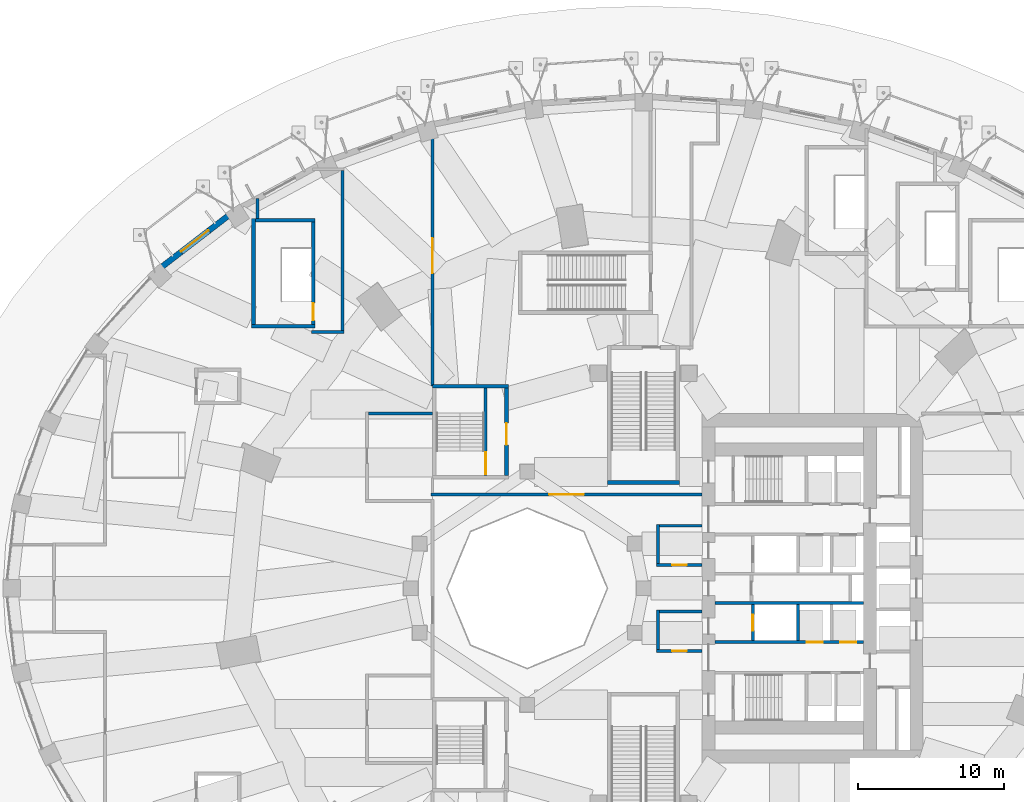
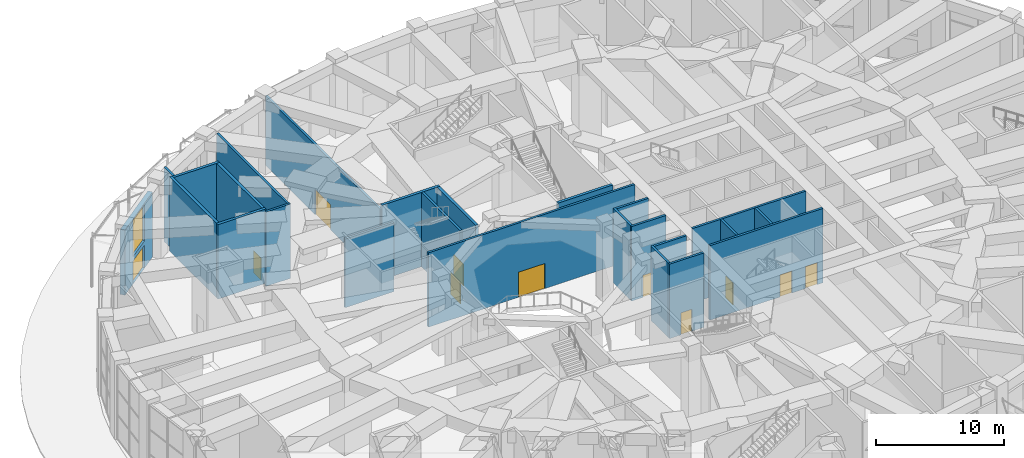
# One storey, part 36 of 60: 25 walls, 11 doors, 1 window, 12 openings.
"""IFC4 building model written with IfcOpenShell, lengths in metres."""

from ifc_helpers import new_model, si_unit, direction, frame, frame_2d, origin, place, context, subcontext, project, spatial, rectangle, extrude, material, layer, layer_set, type_object, element, fill, save


model = new_model("IFC4")

# Units and contexts
model_context = context("Model", 3, precision=1e-05, world=origin(), true_north=direction((0.0, 1.0)))
body_context = subcontext(model_context, "Body", "Model", "MODEL_VIEW")
ifc_project = project(units=[si_unit("LENGTHUNIT", "METRE"), si_unit("AREAUNIT", "SQUARE_METRE"), si_unit("VOLUMEUNIT", "CUBIC_METRE"), si_unit("PLANEANGLEUNIT", "RADIAN"), si_unit("MASSUNIT", "GRAM", prefix="KILO")], contexts=[model_context])

# Site, building, storey
site_placement = place(None, origin())
site = spatial("IfcSite", under=ifc_project, at=site_placement, CompositionType="ELEMENT")
building_placement = place(site_placement, origin())
building = spatial("IfcBuilding", under=site, at=building_placement, Name="Taillehof Tower", CompositionType="ELEMENT")
storey_placement = place(building_placement, origin())
storey = spatial("IfcBuildingStorey", under=building, at=storey_placement, Name="L00", CompositionType="ELEMENT", Elevation=0.0)

# Wall, openings, door, window
ifc_material_1 = material(Name="Brick masonry", Category="masonry")
ifc_layer_1 = layer(ifc_material_1, 0.39990234375)
ifc_layer_set_1 = layer_set([ifc_layer_1], Name="Brick facade wall 400")
wall_type_1 = type_object("IfcWallType", Name="Brick facade wall 400", PredefinedType="SOLIDWALL", material=ifc_layer_set_1)
wall_1_placement = place(storey_placement, frame((-28.5673828125, 25.572021484375, 0.0), z_axis=(0.0, 0.0, 1.0), x_axis=(-0.79246558555, -0.609916630138, 0.0)))
wall_1 = element("IfcWall", 1, at=wall_1_placement, inside=storey, type_object=wall_type_1, Name="Brick wall L00 bay 14", PredefinedType="SOLIDWALL", context=body_context, shape_type="SweptSolid", body=[
    extrude(rectangle(XDim=5.67333984375, YDim=0.39990234375, at=frame_2d((2.836669921875, 0.0))), origin(), (0.0, 0.0, 1.0), 6.18994140625),
])
opening_1_placement = place(wall_1_placement, frame((1.63671875, 0.0, 0.0)))
opening_1 = element("IfcOpeningElement", 2, at=opening_1_placement, cuts=wall_1, Name="Opening E2", PredefinedType="OPENING", context=body_context, shape_type="SweptSolid", body=[
    extrude(rectangle(XDim=2.39990234375, YDim=2.199951171875, at=frame_2d((1.199951171875, 1.10009765625))), frame((0.0, 0.2099609375, 0.0), z_axis=(0.0, -1.0, 0.0), x_axis=(1.0, 0.0, 0.0)), (0.0, 0.0, 1.0), 0.419921875),
])
opening_2_placement = place(wall_1_placement, frame((1.63671875, 0.0, 2.60009765625)))
opening_2 = element("IfcOpeningElement", 3, at=opening_2_placement, cuts=wall_1, Name="Opening FL1", PredefinedType="OPENING", context=body_context, shape_type="SweptSolid", body=[
    extrude(rectangle(XDim=2.39990234375, YDim=3.489990234375, at=frame_2d((1.199951171875, 1.7451171875))), frame((0.0, 0.2099609375, 0.0), z_axis=(0.0, -1.0, 0.0), x_axis=(1.0, 0.0, 0.0)), (0.0, 0.0, 1.0), 0.419921875),
])
ifc_material_2 = material(Name="Aluminium door frame with clear laminated safety glass", Category="aluminium")
door_type_1 = type_object("IfcDoorType", Name="Exit door 2400x2200", OperationType="DOUBLE_DOOR_DOUBLE_SWING", PredefinedType="DOOR", material=ifc_material_2)
door_1_placement = place(opening_1_placement, frame((2.39990234375, 0.0, 0.0), z_axis=(0.0, 0.0, 1.0), x_axis=(-1.0, 0.0, 0.0)))
door_1 = element("IfcDoor", 4, at=door_1_placement, inside=storey, type_object=door_type_1, Name="Door E2", OperationType="DOUBLE_DOOR_SINGLE_SWING", OverallHeight=2.199951171875, OverallWidth=2.39990234375, PredefinedType="DOOR", context=body_context, shape_type="SweptSolid", body=[
    extrude(rectangle(XDim=2.39990234375, YDim=2.199951171875, at=frame_2d((1.199951171875, 1.10009765625))), frame((0.0, 0.0498046875, 0.0), z_axis=(0.0, -1.0, 0.0), x_axis=(1.0, 0.0, 0.0)), (0.0, 0.0, 1.0), 0.050048828125),
])
fill(opening_1, door_1)
ifc_material_3 = material(Name="Aluminium window frame with clear laminated safety glass", Category="aluminium")
window_type = type_object("IfcWindowType", Name="Fixed fanlight 2400x3490", PartitioningType="SINGLE_PANEL", PredefinedType="WINDOW", material=ifc_material_3)
window_placement = place(opening_2_placement, origin())
window = element("IfcWindow", 5, at=window_placement, inside=storey, type_object=window_type, Name="Fanlight over E2", OverallHeight=3.489990234375, OverallWidth=2.39990234375, PartitioningType="SINGLE_PANEL", PredefinedType="WINDOW", context=body_context, shape_type="SweptSolid", body=[
    extrude(rectangle(XDim=2.39990234375, YDim=3.489990234375, at=frame_2d((1.199951171875, 1.7451171875))), frame((0.0, 0.010009765625, 0.0), z_axis=(0.0, -1.0, 0.0), x_axis=(1.0, 0.0, 0.0)), (0.0, 0.0, 1.0), 0.06005859375),
])
fill(opening_2, window)

# Wall, opening, door
ifc_material_4 = material(Name="Calcium silicate blockwork", Category="masonry")
ifc_layer_2 = layer(ifc_material_4, 0.199951171875)
ifc_layer_set_2 = layer_set([ifc_layer_2], Name="Compartment wall EI 60 200 mm")
wall_type_2 = type_object("IfcWallType", Name="Compartment wall EI 60 200 mm", PredefinedType="PARTITIONING", material=ifc_layer_set_2)
wall_2_placement = place(storey_placement, frame((0.89990234375, -4.300048828125, 0.0), z_axis=(0.0, 0.0, 1.0), x_axis=(1.0, 0.0, 0.0)))
wall_2 = element("IfcWall", 6, at=wall_2_placement, inside=storey, type_object=wall_type_2, Name="Wall L00-22 / L00-36", PredefinedType="PARTITIONING", context=body_context, shape_type="SweptSolid", body=[
    extrude(rectangle(XDim=3.10205078125, YDim=0.199951171875, at=frame_2d((1.551025390625, 0.0))), origin(), (0.0, 0.0, 1.0), 7.090087890625),
])
opening_3_placement = place(wall_2_placement, frame((1.051025390625, 0.0, 0.0)))
opening_3 = element("IfcOpeningElement", 7, at=opening_3_placement, cuts=wall_2, Name="Opening D0057", PredefinedType="OPENING", context=body_context, shape_type="SweptSolid", body=[
    extrude(rectangle(XDim=1.0, YDim=2.10009765625, at=frame_2d((0.5, 1.050048828125))), frame((0.0, 0.10986328125, 0.0), z_axis=(0.0, -1.0, 0.0), x_axis=(1.0, 0.0, 0.0)), (0.0, 0.0, 1.0), 0.219970703125),
])
ifc_material_5 = material(Name="Hollow metal door set")
door_type_2 = type_object("IfcDoorType", Name="Single door 1000 x 2100 FD60S", OperationType="SINGLE_SWING_LEFT", PredefinedType="DOOR", material=ifc_material_5)
door_2_placement = place(opening_3_placement, origin())
door_2 = element("IfcDoor", 8, at=door_2_placement, inside=storey, type_object=door_type_2, Name="Door D0057", OperationType="SINGLE_SWING_LEFT", OverallHeight=2.10009765625, OverallWidth=1.0, PredefinedType="DOOR", context=body_context, shape_type="SweptSolid", body=[
    extrude(rectangle(XDim=1.0, YDim=2.10009765625, at=frame_2d((0.5, 1.050048828125))), frame((0.0, 0.02490234375, 0.0), z_axis=(0.0, -1.0, 0.0), x_axis=(1.0, 0.0, 0.0)), (0.0, 0.0, 1.0), 0.050048828125),
])
fill(opening_3, door_2)

# Wall
wall_3_placement = place(storey_placement, frame((1.10009765625, -1.60009765625, 0.0), z_axis=(0.0, 0.0, 1.0), x_axis=(1.0, 0.0, 0.0)))
element("IfcWall", 9, at=wall_3_placement, inside=storey, type_object=wall_type_2, Name="Wall L00-22 / L00-36", PredefinedType="PARTITIONING", context=body_context, shape_type="SweptSolid", body=[
    extrude(rectangle(XDim=2.90185546875, YDim=0.199951171875, at=frame_2d((1.450927734375, 0.0))), origin(), (0.0, 0.0, 1.0), 7.090087890625),
])

# Wall, opening, door
wall_4_placement = place(storey_placement, frame((0.89990234375, 1.60009765625, 0.0), z_axis=(0.0, 0.0, 1.0), x_axis=(1.0, 0.0, 0.0)))
wall_4 = element("IfcWall", 10, at=wall_4_placement, inside=storey, type_object=wall_type_2, Name="Wall L00-23 / L00-36", PredefinedType="PARTITIONING", context=body_context, shape_type="SweptSolid", body=[
    extrude(rectangle(XDim=3.10205078125, YDim=0.199951171875, at=frame_2d((1.551025390625, 0.0))), origin(), (0.0, 0.0, 1.0), 7.090087890625),
])
opening_4_placement = place(wall_4_placement, frame((1.051025390625, 0.0, 0.0)))
opening_4 = element("IfcOpeningElement", 11, at=opening_4_placement, cuts=wall_4, Name="Opening D0062", PredefinedType="OPENING", context=body_context, shape_type="SweptSolid", body=[
    extrude(rectangle(XDim=1.0, YDim=2.10009765625, at=frame_2d((0.5, 1.050048828125))), frame((0.0, 0.10986328125, 0.0), z_axis=(0.0, -1.0, 0.0), x_axis=(1.0, 0.0, 0.0)), (0.0, 0.0, 1.0), 0.219970703125),
])
door_3_placement = place(opening_4_placement, origin())
door_3 = element("IfcDoor", 12, at=door_3_placement, inside=storey, type_object=door_type_2, Name="Door D0062", OperationType="SINGLE_SWING_LEFT", OverallHeight=2.10009765625, OverallWidth=1.0, PredefinedType="DOOR", context=body_context, shape_type="SweptSolid", body=[
    extrude(rectangle(XDim=1.0, YDim=2.10009765625, at=frame_2d((0.5, 1.050048828125))), frame((0.0, 0.02490234375, 0.0), z_axis=(0.0, -1.0, 0.0), x_axis=(1.0, 0.0, 0.0)), (0.0, 0.0, 1.0), 0.050048828125),
])
fill(opening_4, door_3)

# Wall
wall_5_placement = place(storey_placement, frame((1.10009765625, 4.300048828125, 0.0), z_axis=(0.0, 0.0, 1.0), x_axis=(1.0, 0.0, 0.0)))
element("IfcWall", 13, at=wall_5_placement, inside=storey, type_object=wall_type_2, Name="Wall L00-23 / L00-36", PredefinedType="PARTITIONING", context=body_context, shape_type="SweptSolid", body=[
    extrude(rectangle(XDim=2.90185546875, YDim=0.199951171875, at=frame_2d((1.450927734375, 0.0))), origin(), (0.0, 0.0, 1.0), 7.090087890625),
])

# Wall, opening, door
wall_6_placement = place(storey_placement, frame((-14.60009765625, 6.449951171875, 0.0), z_axis=(0.0, 0.0, 1.0), x_axis=(1.0, 0.0, 0.0)))
wall_6 = element("IfcWall", 14, at=wall_6_placement, inside=storey, type_object=wall_type_2, Name="Wall L00-36 / L00-37", PredefinedType="PARTITIONING", context=body_context, shape_type="SweptSolid", body=[
    extrude(rectangle(XDim=18.60205078125, YDim=0.199951171875, at=frame_2d((9.301025390625, 0.0))), origin(), (0.0, 0.0, 1.0), 7.090087890625),
])
opening_5_placement = place(wall_6_placement, frame((8.10107421875, 0.0, 0.0)))
opening_5 = element("IfcOpeningElement", 15, at=opening_5_placement, cuts=wall_6, Name="Opening D0063", PredefinedType="OPENING", context=body_context, shape_type="SweptSolid", body=[
    extrude(rectangle(XDim=2.39990234375, YDim=2.39990234375, at=frame_2d((1.199951171875, 1.199951171875))), frame((0.0, 0.10986328125, 0.0), z_axis=(0.0, -1.0, 0.0), x_axis=(1.0, 0.0, 0.0)), (0.0, 0.0, 1.0), 0.219970703125),
])
ifc_material_6 = material(Name="Glazed aluminium door set", Category="aluminium")
door_type_3 = type_object("IfcDoorType", Name="Glazed double door 2400 x 2400 FD60S", OperationType="DOUBLE_DOOR_SINGLE_SWING", PredefinedType="DOOR", material=ifc_material_6)
door_4_placement = place(opening_5_placement, origin())
door_4 = element("IfcDoor", 16, at=door_4_placement, inside=storey, type_object=door_type_3, Name="Door D0063", OperationType="DOUBLE_DOOR_SINGLE_SWING", OverallHeight=2.39990234375, OverallWidth=2.39990234375, PredefinedType="DOOR", context=body_context, shape_type="SweptSolid", body=[
    extrude(rectangle(XDim=2.39990234375, YDim=2.39990234375, at=frame_2d((1.199951171875, 1.199951171875))), frame((0.0, 0.02490234375, 0.0), z_axis=(0.0, -1.0, 0.0), x_axis=(1.0, 0.0, 0.0)), (0.0, 0.0, 1.0), 0.050048828125),
])
fill(opening_5, door_4)

# Walls
wall_7_placement = place(storey_placement, frame((-18.89990234375, 12.0, 0.0), z_axis=(0.0, 0.0, 1.0), x_axis=(1.0, 0.0, 0.0)))
element("IfcWall", 17, at=wall_7_placement, inside=storey, type_object=wall_type_2, Name="Wall L00-20 / L00-35", PredefinedType="PARTITIONING", context=body_context, shape_type="SweptSolid", body=[
    extrude(rectangle(XDim=4.40185546875, YDim=0.199951171875, at=frame_2d((2.200927734375, 0.0))), origin(), (0.0, 0.0, 1.0), 6.5400390625),
])
wall_8_placement = place(storey_placement, frame((-22.800048828125, 17.60009765625, 0.0), z_axis=(0.0, 0.0, 1.0), x_axis=(1.0, 0.0, 0.0)))
element("IfcWall", 18, at=wall_8_placement, inside=storey, type_object=wall_type_2, Name="Wall L00-35 / L00-38", PredefinedType="PARTITIONING", context=body_context, shape_type="SweptSolid", body=[
    extrude(rectangle(XDim=2.199951171875, YDim=0.199951171875, at=frame_2d((1.10009765625, 0.0))), origin(), (0.0, 0.0, 1.0), 7.090087890625),
])
wall_9_placement = place(storey_placement, frame((-26.539306640625, 25.4150390625, 0.0), z_axis=(0.0, 0.0, 1.0), x_axis=(0.0, 1.0, 0.0)))
element("IfcWall", 19, at=wall_9_placement, inside=storey, type_object=wall_type_2, Name="Wall L00-35 / L00-38", PredefinedType="PARTITIONING", context=body_context, shape_type="SweptSolid", body=[
    extrude(rectangle(XDim=1.380615234375, YDim=0.199951171875, at=frame_2d((0.6904296875, 0.0))), origin(), (0.0, 0.0, 1.0), 7.090087890625),
])
wall_10_placement = place(storey_placement, frame((-20.699951171875, 17.699951171875, 0.0), z_axis=(0.0, 0.0, 1.0), x_axis=(0.0, 1.0, 0.0)))
element("IfcWall", 20, at=wall_10_placement, inside=storey, type_object=wall_type_2, Name="Wall L00-35 / L00-38", PredefinedType="PARTITIONING", context=body_context, shape_type="SweptSolid", body=[
    extrude(rectangle(XDim=10.989990234375, YDim=0.199951171875, at=frame_2d((5.4951171875, 0.0))), origin(), (0.0, 0.0, 1.0), 7.090087890625),
])

# Wall, opening, door
wall_11_placement = place(storey_placement, frame((-14.5, 13.89990234375, 0.0), z_axis=(0.0, 0.0, 1.0), x_axis=(0.0, 1.0, 0.0)))
wall_11 = element("IfcWall", 21, at=wall_11_placement, inside=storey, type_object=wall_type_2, Name="Wall L00-35 / L00-37", PredefinedType="PARTITIONING", context=body_context, shape_type="SweptSolid", body=[
    extrude(rectangle(XDim=17.903076171875, YDim=0.199951171875, at=frame_2d((8.95166015625, 0.0))), origin(), (0.0, 0.0, 1.0), 6.639892578125),
])
opening_6_placement = place(wall_11_placement, frame((7.751953125, 0.0, 0.0)))
opening_6 = element("IfcOpeningElement", 22, at=opening_6_placement, cuts=wall_11, Name="Opening D0075", PredefinedType="OPENING", context=body_context, shape_type="SweptSolid", body=[
    extrude(rectangle(XDim=2.39990234375, YDim=2.39990234375, at=frame_2d((1.199951171875, 1.199951171875))), frame((0.0, 0.10986328125, 0.0), z_axis=(0.0, -1.0, 0.0), x_axis=(1.0, 0.0, 0.0)), (0.0, 0.0, 1.0), 0.219970703125),
])
door_5_placement = place(opening_6_placement, origin())
door_5 = element("IfcDoor", 23, at=door_5_placement, inside=storey, type_object=door_type_3, Name="Door D0075", OperationType="DOUBLE_DOOR_SINGLE_SWING", OverallHeight=2.39990234375, OverallWidth=2.39990234375, PredefinedType="DOOR", context=body_context, shape_type="SweptSolid", body=[
    extrude(rectangle(XDim=2.39990234375, YDim=2.39990234375, at=frame_2d((1.199951171875, 1.199951171875))), frame((0.0, 0.02490234375, 0.0), z_axis=(0.0, -1.0, 0.0), x_axis=(1.0, 0.0, 0.0)), (0.0, 0.0, 1.0), 0.050048828125),
])
fill(opening_6, door_5)

# Walls
for number, where, z_axis, x_axis, name in (
    (24, (1.0, -4.199951171875, 0.0), (0.0, 0.0, 1.0), (0.0, 1.0, 0.0), "Wall L00-22 / L00-36"),
    (25, (1.0, 1.699951171875, 0.0), (0.0, 0.0, 1.0), (0.0, 1.0, 0.0), "Wall L00-23 / L00-36"),
):
    element("IfcWall", number, at=place(storey_placement, frame(where, z_axis=z_axis, x_axis=x_axis)), inside=storey, type_object=wall_type_2, Name=name, PredefinedType="PARTITIONING", context=body_context, shape_type="SweptSolid", body=[
        extrude(rectangle(XDim=2.699951171875, YDim=0.199951171875, at=frame_2d((1.35009765625, 0.0))), origin(), (0.0, 0.0, 1.0), 7.090087890625),
    ])
ifc_material_7 = material(Name="Concrete C50/60", Category="concrete")
ifc_layer_3 = layer(ifc_material_7, 0.199951171875)
ifc_layer_set_3 = layer_set([ifc_layer_3], Name="Shaft wall C50/60 200")
wall_type_3 = type_object("IfcWallType", Name="Shaft wall C50/60 200", PredefinedType="SHEAR", material=ifc_layer_set_3)
wall_12_placement = place(storey_placement, frame((4.89990234375, -1.0, 0.0), z_axis=(0.0, 0.0, 1.0), x_axis=(1.0, 0.0, 0.0)))
element("IfcWall", 26, at=wall_12_placement, inside=storey, type_object=wall_type_3, Name="Shaft wall SW", PredefinedType="SHEAR", context=body_context, shape_type="SweptSolid", body=[
    extrude(rectangle(XDim=10.2001953125, YDim=0.199951171875, at=frame_2d((5.10009765625, 0.0))), origin(), (0.0, 0.0, 1.0), 7.090087890625),
])

# Wall, openings, doors
wall_13_placement = place(storey_placement, frame((4.89990234375, -3.699951171875, 0.0), z_axis=(0.0, 0.0, 1.0), x_axis=(1.0, 0.0, 0.0)))
wall_13 = element("IfcWall", 27, at=wall_13_placement, inside=storey, type_object=wall_type_3, Name="Shaft wall SW", PredefinedType="SHEAR", context=body_context, shape_type="SweptSolid", body=[
    extrude(rectangle(XDim=10.2001953125, YDim=0.199951171875, at=frame_2d((5.10009765625, 0.0))), origin(), (0.0, 0.0, 1.0), 7.090087890625),
])
opening_7_placement = place(wall_13_placement, frame((6.300048828125, 0.0, 0.0)))
opening_7 = element("IfcOpeningElement", 28, at=opening_7_placement, cuts=wall_13, Name="Opening LD1", PredefinedType="OPENING", context=body_context, shape_type="SweptSolid", body=[
    extrude(rectangle(XDim=1.10009765625, YDim=2.10009765625, at=frame_2d((0.550048828125, 1.050048828125))), frame((0.0, 0.10986328125, 0.0), z_axis=(0.0, -1.0, 0.0), x_axis=(1.0, 0.0, 0.0)), (0.0, 0.0, 1.0), 0.219970703125),
])
opening_8_placement = place(wall_13_placement, frame((8.60009765625, 0.0, 0.0)))
opening_8 = element("IfcOpeningElement", 29, at=opening_8_placement, cuts=wall_13, Name="Opening LD1", PredefinedType="OPENING", context=body_context, shape_type="SweptSolid", body=[
    extrude(rectangle(XDim=1.10009765625, YDim=2.10009765625, at=frame_2d((0.550048828125, 1.050048828125))), frame((0.0, 0.10986328125, 0.0), z_axis=(0.0, -1.0, 0.0), x_axis=(1.0, 0.0, 0.0)), (0.0, 0.0, 1.0), 0.219970703125),
])
ifc_material_8 = material(Name="Stainless steel", Category="steel")
door_type_4 = type_object("IfcDoorType", Name="Lift landing door LD1 1100x2100", OperationType="DOUBLE_DOOR_SLIDING", PredefinedType="DOOR", material=ifc_material_8)
door_6_placement = place(opening_7_placement, origin())
door_6 = element("IfcDoor", 30, at=door_6_placement, inside=storey, type_object=door_type_4, Name="Landing door LR5", OperationType="DOUBLE_DOOR_SLIDING", OverallHeight=2.10009765625, OverallWidth=1.10009765625, PredefinedType="DOOR", context=body_context, shape_type="SweptSolid", body=[
    extrude(rectangle(XDim=1.10009765625, YDim=2.10009765625, at=frame_2d((0.550048828125, 1.050048828125))), frame((0.0, 0.02490234375, 0.0), z_axis=(0.0, -1.0, 0.0), x_axis=(1.0, 0.0, 0.0)), (0.0, 0.0, 1.0), 0.050048828125),
])
fill(opening_7, door_6)
door_7_placement = place(opening_8_placement, origin())
door_7 = element("IfcDoor", 31, at=door_7_placement, inside=storey, type_object=door_type_4, Name="Landing door LR6", OperationType="DOUBLE_DOOR_SLIDING", OverallHeight=2.10009765625, OverallWidth=1.10009765625, PredefinedType="DOOR", context=body_context, shape_type="SweptSolid", body=[
    extrude(rectangle(XDim=1.10009765625, YDim=2.10009765625, at=frame_2d((0.550048828125, 1.050048828125))), frame((0.0, 0.02490234375, 0.0), z_axis=(0.0, -1.0, 0.0), x_axis=(1.0, 0.0, 0.0)), (0.0, 0.0, 1.0), 0.050048828125),
])
fill(opening_8, door_7)

# Wall, opening, door
wall_14_placement = place(storey_placement, frame((7.5, -3.60009765625, 0.0), z_axis=(0.0, 0.0, 1.0), x_axis=(0.0, 1.0, 0.0)))
wall_14 = element("IfcWall", 32, at=wall_14_placement, inside=storey, type_object=wall_type_3, Name="Shaft wall SW", PredefinedType="SHEAR", context=body_context, shape_type="SweptSolid", body=[
    extrude(rectangle(XDim=2.5, YDim=0.199951171875, at=frame_2d((1.25, 0.0))), origin(), (0.0, 0.0, 1.0), 7.090087890625),
])
opening_9_placement = place(wall_14_placement, frame((0.699951171875, 0.0, 0.0)))
opening_9 = element("IfcOpeningElement", 33, at=opening_9_placement, cuts=wall_14, Name="Opening LD1", PredefinedType="OPENING", context=body_context, shape_type="SweptSolid", body=[
    extrude(rectangle(XDim=1.10009765625, YDim=2.10009765625, at=frame_2d((0.550048828125, 1.050048828125))), frame((0.0, 0.10986328125, 0.0), z_axis=(0.0, -1.0, 0.0), x_axis=(1.0, 0.0, 0.0)), (0.0, 0.0, 1.0), 0.219970703125),
])
door_8_placement = place(opening_9_placement, origin())
door_8 = element("IfcDoor", 34, at=door_8_placement, inside=storey, type_object=door_type_4, Name="Landing door FF2", OperationType="DOUBLE_DOOR_SLIDING", OverallHeight=2.10009765625, OverallWidth=1.10009765625, PredefinedType="DOOR", context=body_context, shape_type="SweptSolid", body=[
    extrude(rectangle(XDim=1.10009765625, YDim=2.10009765625, at=frame_2d((0.550048828125, 1.050048828125))), frame((0.0, 0.02490234375, 0.0), z_axis=(0.0, -1.0, 0.0), x_axis=(1.0, 0.0, 0.0)), (0.0, 0.0, 1.0), 0.050048828125),
])
fill(opening_9, door_8)

# Wall
wall_15_placement = place(storey_placement, frame((10.60009765625, -3.60009765625, 0.0), z_axis=(0.0, 0.0, 1.0), x_axis=(0.0, 1.0, 0.0)))
element("IfcWall", 35, at=wall_15_placement, inside=storey, type_object=wall_type_3, Name="Shaft wall SW", PredefinedType="SHEAR", context=body_context, shape_type="SweptSolid", body=[
    extrude(rectangle(XDim=2.5, YDim=0.199951171875, at=frame_2d((1.25, 0.0))), origin(), (0.0, 0.0, 1.0), 7.090087890625),
])

# Wall, opening, door
wall_16_placement = place(storey_placement, frame((-10.85009765625, 7.75, 0.0), z_axis=(0.0, 0.0, 1.0), x_axis=(0.0, 1.0, 0.0)))
wall_16 = element("IfcWall", 36, at=wall_16_placement, inside=storey, type_object=wall_type_3, Name="Shaft wall SW", PredefinedType="SHEAR", context=body_context, shape_type="SweptSolid", body=[
    extrude(rectangle(XDim=6.0, YDim=0.199951171875, at=frame_2d((3.0, 0.0))), origin(), (0.0, 0.0, 1.0), 7.090087890625),
])
opening_10_placement = place(wall_16_placement, frame((0.10009765625, 0.0, 0.0)))
opening_10 = element("IfcOpeningElement", 37, at=opening_10_placement, cuts=wall_16, Name="Opening D0010", PredefinedType="OPENING", context=body_context, shape_type="SweptSolid", body=[
    extrude(rectangle(XDim=1.5, YDim=2.10009765625, at=frame_2d((0.75, 1.050048828125))), frame((0.0, 0.10986328125, 0.0), z_axis=(0.0, -1.0, 0.0), x_axis=(1.0, 0.0, 0.0)), (0.0, 0.0, 1.0), 0.219970703125),
])
ifc_material_9 = material(Name="Steel-faced fire door", Category="steel")
door_type_5 = type_object("IfcDoorType", Name="Stair door 1500x2100", OperationType="DOUBLE_DOOR_SINGLE_SWING", PredefinedType="DOOR", material=ifc_material_9)
door_9_placement = place(opening_10_placement, origin())
door_9 = element("IfcDoor", 38, at=door_9_placement, inside=storey, type_object=door_type_5, Name="Stair lobby door S3", OperationType="DOUBLE_DOOR_SINGLE_SWING", OverallHeight=2.10009765625, OverallWidth=1.5, PredefinedType="DOOR", context=body_context, shape_type="SweptSolid", body=[
    extrude(rectangle(XDim=1.5, YDim=2.10009765625, at=frame_2d((0.75, 1.050048828125))), frame((0.0, 0.02490234375, 0.0), z_axis=(0.0, -1.0, 0.0), x_axis=(1.0, 0.0, 0.0)), (0.0, 0.0, 1.0), 0.050048828125),
])
fill(opening_10, door_9)

ifc_material_10 = material(Name="Concrete C50/60", Category="concrete")
ifc_layer_4 = layer(ifc_material_10, 0.25)
ifc_layer_set_4 = layer_set([ifc_layer_4], Name="Stair wall C50/60 250")
wall_type_4 = type_object("IfcWallType", Name="Stair wall C50/60 250", PredefinedType="SHEAR", material=ifc_layer_set_4)
wall_17_placement = place(storey_placement, frame((-9.425048828125, 7.75, 0.0), z_axis=(0.0, 0.0, 1.0), x_axis=(0.0, 1.0, 0.0)))
wall_17 = element("IfcWall", 39, at=wall_17_placement, inside=storey, type_object=wall_type_4, Name="Stair wall SC", PredefinedType="SHEAR", context=body_context, shape_type="SweptSolid", body=[
    extrude(rectangle(XDim=6.0, YDim=0.25, at=frame_2d((3.0, 0.0))), origin(), (0.0, 0.0, 1.0), 7.090087890625),
])
opening_11_placement = place(wall_17_placement, frame((2.10009765625, 0.0, 0.0)))
opening_11 = element("IfcOpeningElement", 40, at=opening_11_placement, cuts=wall_17, Name="Opening D0017", PredefinedType="OPENING", context=body_context, shape_type="SweptSolid", body=[
    extrude(rectangle(XDim=1.5, YDim=2.10009765625, at=frame_2d((0.75, 1.050048828125))), frame((0.0, 0.135009765625, 0.0), z_axis=(0.0, -1.0, 0.0), x_axis=(1.0, 0.0, 0.0)), (0.0, 0.0, 1.0), 0.27001953125),
])
door_10_placement = place(opening_11_placement, origin())
door_10 = element("IfcDoor", 41, at=door_10_placement, inside=storey, type_object=door_type_5, Name="Stair door S3", OperationType="DOUBLE_DOOR_SINGLE_SWING", OverallHeight=2.10009765625, OverallWidth=1.5, PredefinedType="DOOR", context=body_context, shape_type="SweptSolid", body=[
    extrude(rectangle(XDim=1.5, YDim=2.10009765625, at=frame_2d((0.75, 1.050048828125))), frame((0.0, 0.02490234375, 0.0), z_axis=(0.0, -1.0, 0.0), x_axis=(1.0, 0.0, 0.0)), (0.0, 0.0, 1.0), 0.050048828125),
])
fill(opening_11, door_10)

# Walls
wall_18_placement = place(storey_placement, frame((-14.5, 13.875, 0.0), z_axis=(0.0, 0.0, 1.0), x_axis=(1.0, 0.0, 0.0)))
element("IfcWall", 42, at=wall_18_placement, inside=storey, type_object=wall_type_4, Name="Stair wall SC", PredefinedType="SHEAR", context=body_context, shape_type="SweptSolid", body=[
    extrude(rectangle(XDim=5.199951171875, YDim=0.25, at=frame_2d((2.60009765625, 0.0))), origin(), (0.0, 0.0, 1.0), 7.090087890625),
])
ifc_material_11 = material(Name="Concrete C40/50", Category="concrete")
ifc_layer_5 = layer(ifc_material_11, 0.25)
ifc_layer_set_5 = layer_set([ifc_layer_5], Name="Stair wall EI 120 250 mm")
wall_type_5 = type_object("IfcWallType", Name="Stair wall EI 120 250 mm", PredefinedType="SOLIDWALL", material=ifc_layer_set_5)
wall_19_placement = place(storey_placement, frame((-2.47509765625, 7.27490234375, 0.0), z_axis=(0.0, 0.0, 1.0), x_axis=(1.0, 0.0, 0.0)))
element("IfcWall", 43, at=wall_19_placement, inside=storey, type_object=wall_type_5, Name="Wall L00-01 / L00-37", PredefinedType="SOLIDWALL", context=body_context, shape_type="SweptSolid", body=[
    extrude(rectangle(XDim=4.9501953125, YDim=0.25, at=frame_2d((2.47509765625, 0.0))), origin(), (0.0, 0.0, 1.0), 7.090087890625),
])
wall_20_placement = place(storey_placement, frame((-26.925048828125, 18.0, 0.0), z_axis=(0.0, 0.0, 1.0), x_axis=(1.0, 0.0, 0.0)))
element("IfcWall", 44, at=wall_20_placement, inside=storey, type_object=wall_type_5, Name="Wall L00-06 / L00-35", PredefinedType="SOLIDWALL", context=body_context, shape_type="SweptSolid", body=[
    extrude(rectangle(XDim=4.35009765625, YDim=0.25, at=frame_2d((2.175048828125, 0.0))), origin(), (0.0, 0.0, 1.0), 7.090087890625),
])
wall_21_placement = place(storey_placement, frame((-26.675048828125, 25.2900390625, 0.0), z_axis=(0.0, 0.0, 1.0), x_axis=(1.0, 0.0, 0.0)))
element("IfcWall", 45, at=wall_21_placement, inside=storey, type_object=wall_type_5, Name="Wall L00-06 / L00-38", PredefinedType="SOLIDWALL", context=body_context, shape_type="SweptSolid", body=[
    extrude(rectangle(XDim=4.10009765625, YDim=0.25, at=frame_2d((2.050048828125, 0.0))), origin(), (0.0, 0.0, 1.0), 7.090087890625),
])
wall_22_placement = place(storey_placement, frame((-26.800048828125, 18.125, 0.0), z_axis=(0.0, 0.0, 1.0), x_axis=(0.0, 1.0, 0.0)))
element("IfcWall", 46, at=wall_22_placement, inside=storey, type_object=wall_type_5, Name="Wall L00-06 / L00-35", PredefinedType="SOLIDWALL", context=body_context, shape_type="SweptSolid", body=[
    extrude(rectangle(XDim=7.2900390625, YDim=0.25, at=frame_2d((3.64501953125, 0.0))), origin(), (0.0, 0.0, 1.0), 7.090087890625),
])

# Wall, opening, door
wall_23_placement = place(storey_placement, frame((-22.699951171875, 18.125, 0.0), z_axis=(0.0, 0.0, 1.0), x_axis=(0.0, 1.0, 0.0)))
wall_23 = element("IfcWall", 47, at=wall_23_placement, inside=storey, type_object=wall_type_5, Name="Wall L00-06 / L00-38", PredefinedType="SOLIDWALL", context=body_context, shape_type="SweptSolid", body=[
    extrude(rectangle(XDim=7.0400390625, YDim=0.25, at=frame_2d((3.52001953125, 0.0))), origin(), (0.0, 0.0, 1.0), 7.090087890625),
])
opening_12_placement = place(wall_23_placement, frame((0.27490234375, 0.0, 0.0)))
opening_12 = element("IfcOpeningElement", 48, at=opening_12_placement, cuts=wall_23, Name="Opening D0070", PredefinedType="OPENING", context=body_context, shape_type="SweptSolid", body=[
    extrude(rectangle(XDim=1.199951171875, YDim=2.10009765625, at=frame_2d((0.60009765625, 1.050048828125))), frame((0.0, 0.135009765625, 0.0), z_axis=(0.0, -1.0, 0.0), x_axis=(1.0, 0.0, 0.0)), (0.0, 0.0, 1.0), 0.27001953125),
])
ifc_material_12 = material(Name="Hollow metal door set")
door_type_6 = type_object("IfcDoorType", Name="Single door 1200 x 2100 FD120S", OperationType="SINGLE_SWING_LEFT", PredefinedType="DOOR", material=ifc_material_12)
door_11_placement = place(opening_12_placement, origin())
door_11 = element("IfcDoor", 49, at=door_11_placement, inside=storey, type_object=door_type_6, Name="Door D0070", OperationType="SINGLE_SWING_RIGHT", OverallHeight=2.10009765625, OverallWidth=1.199951171875, PredefinedType="DOOR", context=body_context, shape_type="SweptSolid", body=[
    extrude(rectangle(XDim=1.199951171875, YDim=2.10009765625, at=frame_2d((0.60009765625, 1.050048828125))), frame((0.0, 0.02490234375, 0.0), z_axis=(0.0, -1.0, 0.0), x_axis=(1.0, 0.0, 0.0)), (0.0, 0.0, 1.0), 0.050048828125),
])
fill(opening_12, door_11)

save(model, "model.ifc")
